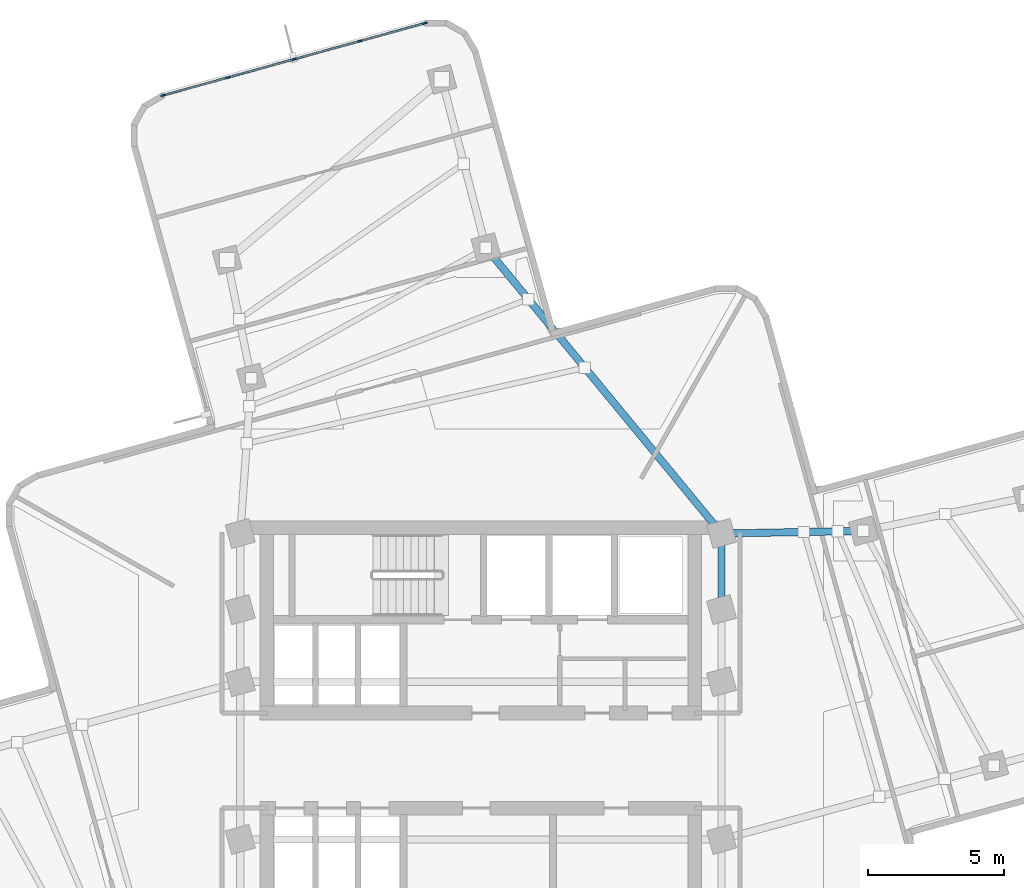
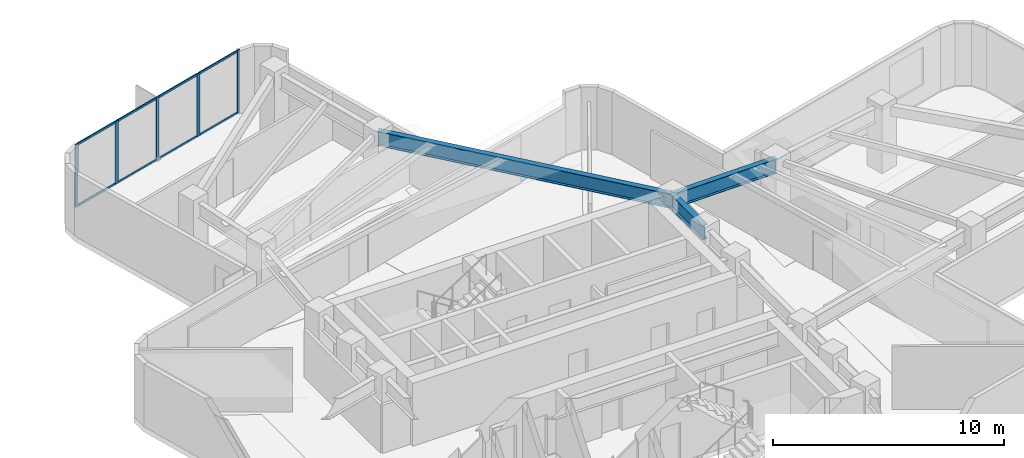
# One storey, part 5 of 12: 13 members, 3 beams, 1 element without a shape of its own.
"""IFC4 building model written with IfcOpenShell, lengths in metres."""

from ifc_helpers import new_model, si_unit, direction, frame, origin, origin_2d, place, context, subcontext, project, spatial, rectangle, i_section, extrude, material, layer, layer_set, material_profile, profile_set, type_object, element, aggregate, save


model = new_model("IFC4")

# Units and contexts
model_context = context("Model", 3, precision=1e-05, world=origin(), true_north=direction((0.0, 1.0)))
body_context = subcontext(model_context, "Body", "Model", "MODEL_VIEW")
ifc_project = project(units=[si_unit("LENGTHUNIT", "METRE"), si_unit("AREAUNIT", "SQUARE_METRE"), si_unit("VOLUMEUNIT", "CUBIC_METRE"), si_unit("PLANEANGLEUNIT", "RADIAN"), si_unit("MASSUNIT", "GRAM", prefix="KILO")], contexts=[model_context])

# Site, building, storey
site_placement = place(None, origin())
site = spatial("IfcSite", under=ifc_project, at=site_placement, CompositionType="ELEMENT")
building_placement = place(site_placement, origin())
building = spatial("IfcBuilding", under=site, at=building_placement, Name="Solmarez Civic Tower", CompositionType="ELEMENT")
storey_placement = place(building_placement, frame((0.0, 0.0, 134.280029296875)))
storey = spatial("IfcBuildingStorey", under=building, at=storey_placement, Name="L35", CompositionType="ELEMENT", Elevation=134.280029296875)

# Beams
ifc_material_1 = material(Name="Steel S355", Category="steel")
ifc_material_profile_1 = material_profile(ifc_material_1, i_section(OverallWidth=0.26708984375, OverallDepth=0.761962890625, WebThickness=0.014404296875, FlangeThickness=0.021484375, at=origin_2d()), Name="W30X116")
ifc_profile_set_1 = profile_set([ifc_material_profile_1], Name="Steel S355")
beam_type = type_object("IfcBeamType", Name="BM-PR-W30X116", PredefinedType="BEAM", material=ifc_profile_set_1)
beam_1_placement = place(storey_placement, frame((8.85009765625, 5.550048828125, 2.93896484375), z_axis=(0.0, 1.0, 0.0), x_axis=(-1.0, 0.0, 0.0)))
element("IfcBeam", 1, at=beam_1_placement, inside=storey, type_object=beam_type, Name="L35 Primary Floor Beam BM-L35-HC8-HC11", PredefinedType="BEAM", context=body_context, shape_type="SweptSolid", body=[
    extrude(i_section(OverallWidth=0.26708984375, OverallDepth=0.761962890625, WebThickness=0.014404296875, FlangeThickness=0.021484375, at=origin_2d()), origin(), (0.0, 0.0, 1.0), 2.800048828125),
])
beam_2_placement = place(storey_placement, frame((8.85009765625, 8.35009765625, 2.93896484375), z_axis=(0.999834147765, 0.018212000538, 0.0), x_axis=(-0.018212000538, 0.999834147765, 0.0)))
element("IfcBeam", 2, at=beam_2_placement, inside=storey, type_object=beam_type, Name="L35 Primary Floor Beam BM-L35-EA-R1B", PredefinedType="BEAM", context=body_context, shape_type="SweptSolid", body=[
    extrude(i_section(OverallWidth=0.26708984375, OverallDepth=0.761962890625, WebThickness=0.014404296875, FlangeThickness=0.021484375, at=origin_2d()), origin(), (0.0, 0.0, 1.0), 5.21484375),
])
beam_3_placement = place(storey_placement, frame((8.85009765625, 8.35009765625, 2.93896484375), z_axis=(-0.636218453069, 0.77150896299, 0.0), x_axis=(-0.77150896299, -0.636218453069, 0.0)))
element("IfcBeam", 3, at=beam_3_placement, inside=storey, type_object=beam_type, Name="L35 Primary Floor Beam BM-L35-NA-R1A", PredefinedType="BEAM", context=body_context, shape_type="SweptSolid", body=[
    extrude(i_section(OverallWidth=0.26708984375, OverallDepth=0.761962890625, WebThickness=0.014404296875, FlangeThickness=0.021484375, at=origin_2d()), origin(), (0.0, 0.0, 1.0), 13.62255859375),
])

# Curtain wall, members
ifc_material_2 = material(Name="Bronze Anodised Aluminium EN AW-6063 T6", Category="aluminium")
ifc_layer = layer(ifc_material_2, 0.175048828125)
ifc_layer_set = layer_set([ifc_layer], Name="Bronze Anodised Aluminium EN AW-6063 T6")
curtain_wall_type = type_object("IfcCurtainWallType", Name="CW-SYS-3", PredefinedType="NOTDEFINED", material=ifc_layer_set)
curtain_wall_placement = place(storey_placement, origin())
curtain_wall = element("IfcCurtainWall", 4, at=curtain_wall_placement, inside=storey, type_object=curtain_wall_type, Name="L35 Stick-Built Curtain Wall 2", PredefinedType="NOTDEFINED")
ifc_material_profile_2 = material_profile(ifc_material_2, rectangle(XDim=0.06494140625, YDim=0.1650390625, at=origin_2d()), Name="CWM-65X165")
ifc_profile_set_2 = profile_set([ifc_material_profile_2], Name="Bronze Anodised Aluminium EN AW-6063 T6")
member_type_1 = type_object("IfcMemberType", Name="CWM-TYPE-3", PredefinedType="MULLION", material=ifc_profile_set_2)
member_1_placement = place(storey_placement, frame((-11.693603515625, 24.462646484375, 0.0), z_axis=(0.0, 0.0, 1.0), x_axis=(-0.265597721172, 0.964083943704, 0.0)))
member_1 = element("IfcMember", 5, at=member_1_placement, type_object=member_type_1, Name="CWS3 mullion 1", PredefinedType="MULLION", context=body_context, shape_type="SweptSolid", body=[
    extrude(rectangle(XDim=0.06494140625, YDim=0.1650390625, at=origin_2d()), origin(), (0.0, 0.0, 1.0), 3.320068359375),
])
member_2_placement = place(storey_placement, frame((-9.30029296875, 25.1220703125, 0.0), z_axis=(0.0, 0.0, 1.0), x_axis=(-0.265597721172, 0.964083943704, 0.0)))
member_2 = element("IfcMember", 6, at=member_2_placement, type_object=member_type_1, Name="CWS3 mullion 2", PredefinedType="MULLION", context=body_context, shape_type="SweptSolid", body=[
    extrude(rectangle(XDim=0.06494140625, YDim=0.1650390625, at=origin_2d()), origin(), (0.0, 0.0, 1.0), 3.320068359375),
])
member_3_placement = place(storey_placement, frame((-6.87548828125, 25.7900390625, 0.0), z_axis=(0.0, 0.0, 1.0), x_axis=(-0.265597721172, 0.964083943704, 0.0)))
member_3 = element("IfcMember", 7, at=member_3_placement, type_object=member_type_1, Name="CWS3 mullion 3", PredefinedType="MULLION", context=body_context, shape_type="SweptSolid", body=[
    extrude(rectangle(XDim=0.06494140625, YDim=0.1650390625, at=origin_2d()), origin(), (0.0, 0.0, 1.0), 3.320068359375),
])
member_4_placement = place(storey_placement, frame((-4.45068359375, 26.4580078125, 0.0), z_axis=(0.0, 0.0, 1.0), x_axis=(-0.265597721172, 0.964083943704, 0.0)))
member_4 = element("IfcMember", 8, at=member_4_placement, type_object=member_type_1, Name="CWS3 mullion 4", PredefinedType="MULLION", context=body_context, shape_type="SweptSolid", body=[
    extrude(rectangle(XDim=0.06494140625, YDim=0.1650390625, at=origin_2d()), origin(), (0.0, 0.0, 1.0), 3.320068359375),
])
member_5_placement = place(storey_placement, frame((-2.057373046875, 27.117431640625, 0.0), z_axis=(0.0, 0.0, 1.0), x_axis=(-0.265597721172, 0.964083943704, 0.0)))
member_5 = element("IfcMember", 9, at=member_5_placement, type_object=member_type_1, Name="CWS3 mullion 5", PredefinedType="MULLION", context=body_context, shape_type="SweptSolid", body=[
    extrude(rectangle(XDim=0.06494140625, YDim=0.1650390625, at=origin_2d()), origin(), (0.0, 0.0, 1.0), 3.320068359375),
])
ifc_material_profile_3 = material_profile(ifc_material_2, rectangle(XDim=0.06005859375, YDim=0.110107421875, at=origin_2d()), Name="CWT-60X110")
ifc_profile_set_3 = profile_set([ifc_material_profile_3], Name="Bronze Anodised Aluminium EN AW-6063 T6")
member_type_2 = type_object("IfcMemberType", Name="CWT-TYPE-3", PredefinedType="USERDEFINED", material=ifc_profile_set_3)
member_6_placement = place(storey_placement, frame((-11.662353515625, 24.47119140625, 0.030029296875), z_axis=(0.964087180169, 0.26558597296, 0.0), x_axis=(-0.26558597296, 0.964087180169, 0.0)))
member_6 = element("IfcMember", 10, at=member_6_placement, type_object=member_type_2, Name="CWS3 transom 1.1", ObjectType="TRANSOM", PredefinedType="USERDEFINED", context=body_context, shape_type="SweptSolid", body=[
    extrude(rectangle(XDim=0.06005859375, YDim=0.110107421875, at=origin_2d()), origin(), (0.0, 0.0, 1.0), 2.417724609375),
])
member_7_placement = place(storey_placement, frame((-11.662353515625, 24.47119140625, 3.2900390625), z_axis=(0.964087180169, 0.26558597296, 0.0), x_axis=(-0.26558597296, 0.964087180169, 0.0)))
member_7 = element("IfcMember", 11, at=member_7_placement, type_object=member_type_2, Name="CWS3 transom 1.2", ObjectType="TRANSOM", PredefinedType="USERDEFINED", context=body_context, shape_type="SweptSolid", body=[
    extrude(rectangle(XDim=0.06005859375, YDim=0.110107421875, at=origin_2d()), origin(), (0.0, 0.0, 1.0), 2.417724609375),
])
member_8_placement = place(storey_placement, frame((-9.268798828125, 25.130615234375, 0.030029296875), z_axis=(0.964093847832, 0.265561767904, 0.0), x_axis=(-0.265561767904, 0.964093847832, 0.0)))
member_8 = element("IfcMember", 12, at=member_8_placement, type_object=member_type_2, Name="CWS3 transom 2.1", ObjectType="TRANSOM", PredefinedType="USERDEFINED", context=body_context, shape_type="SweptSolid", body=[
    extrude(rectangle(XDim=0.06005859375, YDim=0.110107421875, at=origin_2d()), origin(), (0.0, 0.0, 1.0), 2.449951171875),
])
member_9_placement = place(storey_placement, frame((-9.268798828125, 25.130615234375, 3.2900390625), z_axis=(0.964093847832, 0.265561767904, 0.0), x_axis=(-0.265561767904, 0.964093847832, 0.0)))
member_9 = element("IfcMember", 13, at=member_9_placement, type_object=member_type_2, Name="CWS3 transom 2.2", ObjectType="TRANSOM", PredefinedType="USERDEFINED", context=body_context, shape_type="SweptSolid", body=[
    extrude(rectangle(XDim=0.06005859375, YDim=0.110107421875, at=origin_2d()), origin(), (0.0, 0.0, 1.0), 2.449951171875),
])
member_10_placement = place(storey_placement, frame((-6.84423828125, 25.798583984375, 0.030029296875), z_axis=(0.964068331548, 0.265654384693, 0.0), x_axis=(-0.265654384693, 0.964068331548, 0.0)))
member_10 = element("IfcMember", 14, at=member_10_placement, type_object=member_type_2, Name="CWS3 transom 3.1", ObjectType="TRANSOM", PredefinedType="USERDEFINED", context=body_context, shape_type="SweptSolid", body=[
    extrude(rectangle(XDim=0.06005859375, YDim=0.110107421875, at=origin_2d()), origin(), (0.0, 0.0, 1.0), 2.4501953125),
])
member_11_placement = place(storey_placement, frame((-6.84423828125, 25.798583984375, 3.2900390625), z_axis=(0.964068331548, 0.265654384693, 0.0), x_axis=(-0.265654384693, 0.964068331548, 0.0)))
member_11 = element("IfcMember", 15, at=member_11_placement, type_object=member_type_2, Name="CWS3 transom 3.2", ObjectType="TRANSOM", PredefinedType="USERDEFINED", context=body_context, shape_type="SweptSolid", body=[
    extrude(rectangle(XDim=0.06005859375, YDim=0.110107421875, at=origin_2d()), origin(), (0.0, 0.0, 1.0), 2.4501953125),
])
member_12_placement = place(storey_placement, frame((-4.41943359375, 26.466552734375, 0.030029296875), z_axis=(0.964087180169, 0.26558597296, 0.0), x_axis=(-0.26558597296, 0.964087180169, 0.0)))
member_12 = element("IfcMember", 16, at=member_12_placement, type_object=member_type_2, Name="CWS3 transom 4.1", ObjectType="TRANSOM", PredefinedType="USERDEFINED", context=body_context, shape_type="SweptSolid", body=[
    extrude(rectangle(XDim=0.06005859375, YDim=0.110107421875, at=origin_2d()), origin(), (0.0, 0.0, 1.0), 2.417724609375),
])
member_13_placement = place(storey_placement, frame((-4.41943359375, 26.466552734375, 3.2900390625), z_axis=(0.964087180169, 0.26558597296, 0.0), x_axis=(-0.26558597296, 0.964087180169, 0.0)))
member_13 = element("IfcMember", 17, at=member_13_placement, type_object=member_type_2, Name="CWS3 transom 4.2", ObjectType="TRANSOM", PredefinedType="USERDEFINED", context=body_context, shape_type="SweptSolid", body=[
    extrude(rectangle(XDim=0.06005859375, YDim=0.110107421875, at=origin_2d()), origin(), (0.0, 0.0, 1.0), 2.417724609375),
])
aggregate(curtain_wall, [member_1, member_2, member_3, member_4, member_5, member_6, member_7, member_8, member_9, member_10, member_11, member_12, member_13])

save(model, "model.ifc")
